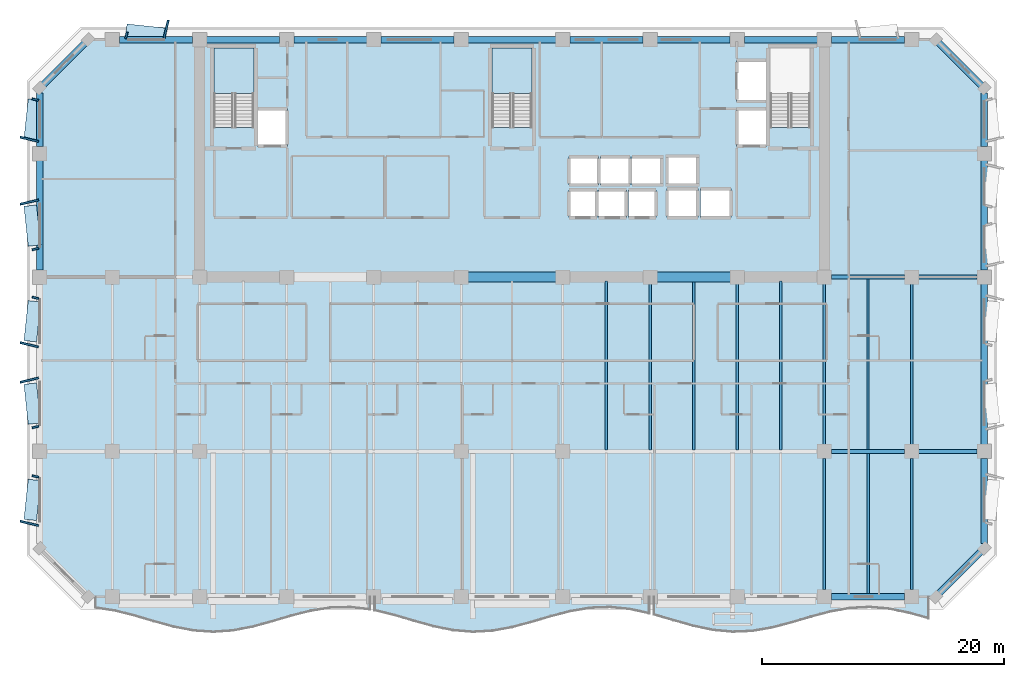
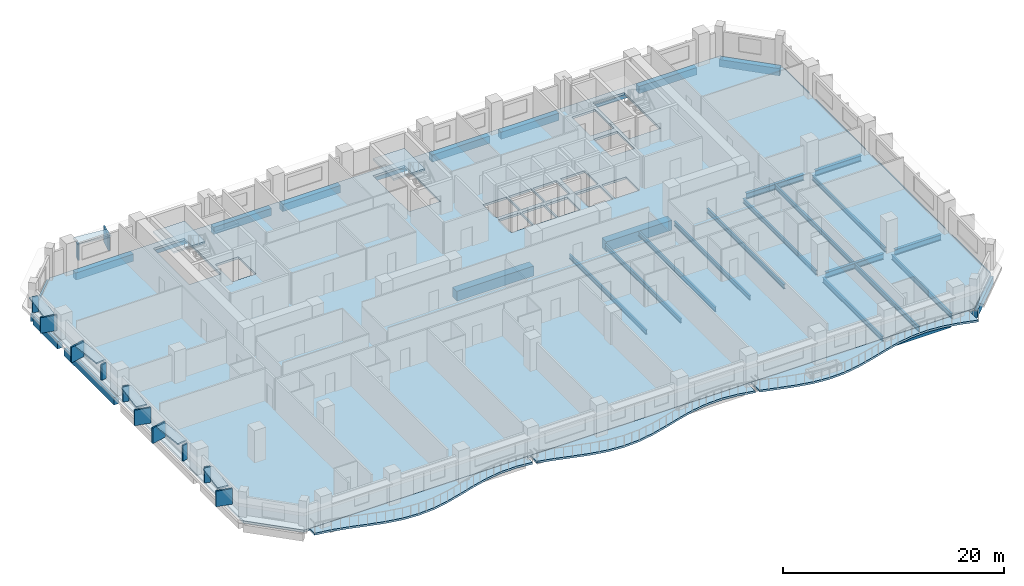
# One storey, part 2 of 15: 36 beams, 18 plates, 6 slabs, 2 elements without a shape of their own.
"""IFC4 building model written with IfcOpenShell, lengths in metres."""

from ifc_helpers import new_model, si_unit, direction, frame, origin, origin_2d, place, context, subcontext, project, spatial, polyline, rectangle, i_section, outline, extrude, material, layer, layer_set, material_profile, profile_set, type_object, element, aggregate, save


model = new_model("IFC4")

# Units and contexts
model_context = context("Model", 3, precision=1e-05, world=origin(), true_north=direction((0.0, 1.0)))
body_context = subcontext(model_context, "Body", "Model", "MODEL_VIEW")
ifc_project = project(units=[si_unit("LENGTHUNIT", "METRE"), si_unit("AREAUNIT", "SQUARE_METRE"), si_unit("VOLUMEUNIT", "CUBIC_METRE"), si_unit("PLANEANGLEUNIT", "RADIAN"), si_unit("MASSUNIT", "GRAM", prefix="KILO")], contexts=[model_context])

# Site, building, storey
site_placement = place(None, origin())
site = spatial("IfcSite", under=ifc_project, at=site_placement, CompositionType="ELEMENT")
building_placement = place(site_placement, origin())
building = spatial("IfcBuilding", under=site, at=building_placement, Name="Kaelvorn Grand Hotel", CompositionType="ELEMENT")
storey_placement = place(building_placement, frame((0.0, 0.0, 173.35009765625)))
storey = spatial("IfcBuildingStorey", under=building, at=storey_placement, Name="L42", CompositionType="ELEMENT", Elevation=173.35009765625)

# Beams
ifc_material_1 = material(Name="Steel S355", Category="steel")
ifc_material_profile_1 = material_profile(ifc_material_1, i_section(OverallWidth=0.300048828125, OverallDepth=0.64990234375, WebThickness=0.01611328125, FlangeThickness=0.031005859375, FilletRadius=0.027099609375, at=origin_2d()), Name="HEB 650")
ifc_profile_set_1 = profile_set([ifc_material_profile_1], Name="Steel S355")
beam_type_1 = type_object("IfcBeamType", Name="BM-G-HEB650-S355", PredefinedType="BEAM", material=ifc_profile_set_1)
beam_1_placement = place(storey_placement, frame((68.385009765625, 15.0, -0.565185546875), z_axis=(1.0, 0.0, 0.0), x_axis=(0.0, 1.0, 0.0)))
element("IfcBeam", 1, at=beam_1_placement, inside=storey, type_object=beam_type_1, Name="L42 Primary Spine Steel Girder G-15 06", PredefinedType="BEAM", context=body_context, shape_type="SweptSolid", body=[
    extrude(i_section(OverallWidth=0.300048828125, OverallDepth=0.64990234375, WebThickness=0.01611328125, FlangeThickness=0.031005859375, FilletRadius=0.027099609375, at=origin_2d()), origin(), (0.0, 0.0, 1.0), 6.030029296875),
])
beam_2_placement = place(storey_placement, frame((75.5849609375, 15.0, -0.565185546875), z_axis=(1.0, 0.0, 0.0), x_axis=(0.0, 1.0, 0.0)))
element("IfcBeam", 2, at=beam_2_placement, inside=storey, type_object=beam_type_1, Name="L42 Primary Spine Steel Girder G-15 07", PredefinedType="BEAM", context=body_context, shape_type="SweptSolid", body=[
    extrude(i_section(OverallWidth=0.300048828125, OverallDepth=0.64990234375, WebThickness=0.01611328125, FlangeThickness=0.031005859375, FilletRadius=0.027099609375, at=origin_2d()), origin(), (0.0, 0.0, 1.0), 4.830078125),
])
beam_3_placement = place(storey_placement, frame((68.385009765625, 29.39990234375, -0.565185546875), z_axis=(1.0, 0.0, 0.0), x_axis=(0.0, 1.0, 0.0)))
element("IfcBeam", 3, at=beam_3_placement, inside=storey, type_object=beam_type_1, Name="L42 East Core Wing Steel Girder G-29E 01", PredefinedType="BEAM", context=body_context, shape_type="SweptSolid", body=[
    extrude(i_section(OverallWidth=0.300048828125, OverallDepth=0.64990234375, WebThickness=0.01611328125, FlangeThickness=0.031005859375, FilletRadius=0.027099609375, at=origin_2d()), origin(), (0.0, 0.0, 1.0), 6.030029296875),
])
beam_4_placement = place(storey_placement, frame((75.5849609375, 29.39990234375, -0.565185546875), z_axis=(1.0, 0.0, 0.0), x_axis=(0.0, 1.0, 0.0)))
element("IfcBeam", 4, at=beam_4_placement, inside=storey, type_object=beam_type_1, Name="L42 East Core Wing Steel Girder G-29E 02", PredefinedType="BEAM", context=body_context, shape_type="SweptSolid", body=[
    extrude(i_section(OverallWidth=0.300048828125, OverallDepth=0.64990234375, WebThickness=0.01611328125, FlangeThickness=0.031005859375, FilletRadius=0.027099609375, at=origin_2d()), origin(), (0.0, 0.0, 1.0), 4.830078125),
])
ifc_material_profile_2 = material_profile(ifc_material_1, i_section(OverallWidth=0.199951171875, OverallDepth=0.5, WebThickness=0.01025390625, FlangeThickness=0.01611328125, FilletRadius=0.02099609375, at=origin_2d()), Name="IPE 500")
ifc_profile_set_2 = profile_set([ifc_material_profile_2], Name="Steel S355")
beam_type_2 = type_object("IfcBeamType", Name="BM-J-IPE500-S355", PredefinedType="JOIST", material=ifc_profile_set_2)
beam_5_placement = place(storey_placement, frame((49.800048828125, 15.135009765625, -0.489990234375), z_axis=(0.0, 1.0, 0.0), x_axis=(-1.0, 0.0, 0.0)))
element("IfcBeam", 5, at=beam_5_placement, inside=storey, type_object=beam_type_2, Name="L42 Composite Floor Joist JM-14", PredefinedType="JOIST", context=body_context, shape_type="SweptSolid", body=[
    extrude(i_section(OverallWidth=0.199951171875, OverallDepth=0.5, WebThickness=0.01025390625, FlangeThickness=0.01611328125, FilletRadius=0.02099609375, at=origin_2d()), origin(), (0.0, 0.0, 1.0), 13.925048828125),
])
beam_6_placement = place(storey_placement, frame((53.39990234375, 15.135009765625, -0.489990234375), z_axis=(0.0, 1.0, 0.0), x_axis=(-1.0, 0.0, 0.0)))
element("IfcBeam", 6, at=beam_6_placement, inside=storey, type_object=beam_type_2, Name="L42 Composite Floor Joist JM-15", PredefinedType="JOIST", context=body_context, shape_type="SweptSolid", body=[
    extrude(i_section(OverallWidth=0.199951171875, OverallDepth=0.5, WebThickness=0.01025390625, FlangeThickness=0.01611328125, FilletRadius=0.02099609375, at=origin_2d()), origin(), (0.0, 0.0, 1.0), 13.679931640625),
])
beam_7_placement = place(storey_placement, frame((57.0, 15.135009765625, -0.489990234375), z_axis=(0.0, 1.0, 0.0), x_axis=(-1.0, 0.0, 0.0)))
element("IfcBeam", 7, at=beam_7_placement, inside=storey, type_object=beam_type_2, Name="L42 Composite Floor Joist JM-16", PredefinedType="JOIST", context=body_context, shape_type="SweptSolid", body=[
    extrude(i_section(OverallWidth=0.199951171875, OverallDepth=0.5, WebThickness=0.01025390625, FlangeThickness=0.01611328125, FilletRadius=0.02099609375, at=origin_2d()), origin(), (0.0, 0.0, 1.0), 13.925048828125),
])
beam_8_placement = place(storey_placement, frame((60.60009765625, 15.135009765625, -0.489990234375), z_axis=(0.0, 1.0, 0.0), x_axis=(-1.0, 0.0, 0.0)))
element("IfcBeam", 8, at=beam_8_placement, inside=storey, type_object=beam_type_2, Name="L42 Composite Floor Joist JM-17", PredefinedType="JOIST", context=body_context, shape_type="SweptSolid", body=[
    extrude(i_section(OverallWidth=0.199951171875, OverallDepth=0.5, WebThickness=0.01025390625, FlangeThickness=0.01611328125, FilletRadius=0.02099609375, at=origin_2d()), origin(), (0.0, 0.0, 1.0), 13.679931640625),
])
beam_9_placement = place(storey_placement, frame((64.199951171875, 15.135009765625, -0.489990234375), z_axis=(0.0, 1.0, 0.0), x_axis=(-1.0, 0.0, 0.0)))
element("IfcBeam", 9, at=beam_9_placement, inside=storey, type_object=beam_type_2, Name="L42 Composite Floor Joist JM-18", PredefinedType="JOIST", context=body_context, shape_type="SweptSolid", body=[
    extrude(i_section(OverallWidth=0.199951171875, OverallDepth=0.5, WebThickness=0.01025390625, FlangeThickness=0.01611328125, FilletRadius=0.02099609375, at=origin_2d()), origin(), (0.0, 0.0, 1.0), 13.925048828125),
])
beam_10_placement = place(storey_placement, frame((67.800048828125, 15.5849609375, -0.489990234375), z_axis=(0.0, 1.0, 0.0), x_axis=(-1.0, 0.0, 0.0)))
element("IfcBeam", 10, at=beam_10_placement, inside=storey, type_object=beam_type_2, Name="L42 Composite Floor Joist JM-19", PredefinedType="JOIST", context=body_context, shape_type="SweptSolid", body=[
    extrude(i_section(OverallWidth=0.199951171875, OverallDepth=0.5, WebThickness=0.01025390625, FlangeThickness=0.01611328125, FilletRadius=0.02099609375, at=origin_2d()), origin(), (0.0, 0.0, 1.0), 13.22998046875),
])
beam_11_placement = place(storey_placement, frame((71.39990234375, 15.135009765625, -0.489990234375), z_axis=(0.0, 1.0, 0.0), x_axis=(-1.0, 0.0, 0.0)))
element("IfcBeam", 11, at=beam_11_placement, inside=storey, type_object=beam_type_2, Name="L42 Composite Floor Joist JM-20", PredefinedType="JOIST", context=body_context, shape_type="SweptSolid", body=[
    extrude(i_section(OverallWidth=0.199951171875, OverallDepth=0.5, WebThickness=0.01025390625, FlangeThickness=0.01611328125, FilletRadius=0.02099609375, at=origin_2d()), origin(), (0.0, 0.0, 1.0), 14.1298828125),
])
beam_12_placement = place(storey_placement, frame((75.0, 15.5849609375, -0.489990234375), z_axis=(0.0, 1.0, 0.0), x_axis=(-1.0, 0.0, 0.0)))
element("IfcBeam", 12, at=beam_12_placement, inside=storey, type_object=beam_type_2, Name="L42 Composite Floor Joist JM-21", PredefinedType="JOIST", context=body_context, shape_type="SweptSolid", body=[
    extrude(i_section(OverallWidth=0.199951171875, OverallDepth=0.5, WebThickness=0.01025390625, FlangeThickness=0.01611328125, FilletRadius=0.02099609375, at=origin_2d()), origin(), (0.0, 0.0, 1.0), 13.22998046875),
])
ifc_material_profile_3 = material_profile(ifc_material_1, i_section(OverallWidth=0.2099609375, OverallDepth=0.550048828125, WebThickness=0.010986328125, FlangeThickness=0.01708984375, FilletRadius=0.02392578125, at=origin_2d()), Name="IPE 550")
ifc_profile_set_3 = profile_set([ifc_material_profile_3], Name="Steel S355")
beam_type_3 = type_object("IfcBeamType", Name="BM-J-IPE550-S355", PredefinedType="JOIST", material=ifc_profile_set_3)
beam_13_placement = place(storey_placement, frame((67.800048828125, 3.5849609375, -0.51513671875), z_axis=(0.0, 1.0, 0.0), x_axis=(-1.0, 0.0, 0.0)))
element("IfcBeam", 13, at=beam_13_placement, inside=storey, type_object=beam_type_3, Name="L42 Composite Floor Joist JS-19", PredefinedType="JOIST", context=body_context, shape_type="SweptSolid", body=[
    extrude(i_section(OverallWidth=0.2099609375, OverallDepth=0.550048828125, WebThickness=0.010986328125, FlangeThickness=0.01708984375, FilletRadius=0.02392578125, at=origin_2d()), origin(), (0.0, 0.0, 1.0), 10.830078125),
])
beam_14_placement = place(storey_placement, frame((71.39990234375, 3.260009765625, -0.51513671875), z_axis=(0.0, 1.0, 0.0), x_axis=(-1.0, 0.0, 0.0)))
element("IfcBeam", 14, at=beam_14_placement, inside=storey, type_object=beam_type_3, Name="L42 Composite Floor Joist JS-20", PredefinedType="JOIST", context=body_context, shape_type="SweptSolid", body=[
    extrude(i_section(OverallWidth=0.2099609375, OverallDepth=0.550048828125, WebThickness=0.010986328125, FlangeThickness=0.01708984375, FilletRadius=0.02392578125, at=origin_2d()), origin(), (0.0, 0.0, 1.0), 11.60498046875),
])
beam_15_placement = place(storey_placement, frame((75.0, 3.5849609375, -0.51513671875), z_axis=(0.0, 1.0, 0.0), x_axis=(-1.0, 0.0, 0.0)))
element("IfcBeam", 15, at=beam_15_placement, inside=storey, type_object=beam_type_3, Name="L42 Composite Floor Joist JS-21", PredefinedType="JOIST", context=body_context, shape_type="SweptSolid", body=[
    extrude(i_section(OverallWidth=0.2099609375, OverallDepth=0.550048828125, WebThickness=0.010986328125, FlangeThickness=0.01708984375, FilletRadius=0.02392578125, at=origin_2d()), origin(), (0.0, 0.0, 1.0), 10.830078125),
])
ifc_material_2 = material(Name="Concrete C60/75", Category="concrete")
ifc_material_profile_4 = material_profile(ifc_material_2, rectangle(XDim=0.800048828125, YDim=1.10009765625, at=origin_2d()), Name="RC LINTEL 800x1100")
ifc_profile_set_4 = profile_set([ifc_material_profile_4], Name="Concrete C60/75")
beam_type_4 = type_object("IfcBeamType", Name="BM-LIN-800x1100-C60", PredefinedType="LINTEL", material=ifc_profile_set_4)
beam_16_placement = place(storey_placement, frame((37.97998046875, 29.39990234375, -0.7900390625), z_axis=(1.0, 0.0, 0.0), x_axis=(0.0, 1.0, 0.0)))
element("IfcBeam", 16, at=beam_16_placement, inside=storey, type_object=beam_type_4, Name="L42 Rear-Core Coupling Lintel Beam CB1-02", PredefinedType="LINTEL", context=body_context, shape_type="SweptSolid", body=[
    extrude(rectangle(XDim=0.800048828125, YDim=1.10009765625, at=origin_2d()), origin(), (0.0, 0.0, 1.0), 8.0400390625),
])
beam_17_placement = place(storey_placement, frame((53.580078125, 29.39990234375, -0.7900390625), z_axis=(1.0, 0.0, 0.0), x_axis=(0.0, 1.0, 0.0)))
element("IfcBeam", 17, at=beam_17_placement, inside=storey, type_object=beam_type_4, Name="L42 Rear-Core Coupling Lintel Beam CB1-03", PredefinedType="LINTEL", context=body_context, shape_type="SweptSolid", body=[
    extrude(rectangle(XDim=0.800048828125, YDim=1.10009765625, at=origin_2d()), origin(), (0.0, 0.0, 1.0), 6.83984375),
])
ifc_material_3 = material(Name="Concrete C50/60", Category="concrete")
ifc_material_profile_5 = material_profile(ifc_material_3, rectangle(XDim=0.550048828125, YDim=0.800048828125, at=origin_2d()), Name="RC SPANDREL 550x800")
ifc_profile_set_5 = profile_set([ifc_material_profile_5], Name="Concrete C50/60")
beam_type_5 = type_object("IfcBeamType", Name="BM-SP-550x800-C50", PredefinedType="SPANDREL", material=ifc_profile_set_5)
for number, where, z_axis, x_axis, name in (
    (18, (68.385009765625, 3.0, -0.64013671875), (1.0, 0.0, 0.0), (0.0, 1.0, 0.0), "L42 South Perimeter Spandrel 10"),
    (19, (9.5849609375, 49.0, -0.64013671875), (1.0, 0.0, 0.0), (0.0, 1.0, 0.0), "L42 North Perimeter Spandrel 02"),
    (20, (16.784912109375, 49.0, -0.64013671875), (1.0, 0.0, 0.0), (0.0, 1.0, 0.0), "L42 North Perimeter Spandrel 03"),
):
    element("IfcBeam", number, at=place(storey_placement, frame(where, z_axis=z_axis, x_axis=x_axis)), inside=storey, type_object=beam_type_5, Name=name, PredefinedType="SPANDREL", context=body_context, shape_type="SweptSolid", body=[
        extrude(rectangle(XDim=0.550048828125, YDim=0.800048828125, at=origin_2d()), origin(), (0.0, 0.0, 1.0), 6.030029296875),
    ])
beam_18_placement = place(storey_placement, frame((23.985107421875, 49.0, -0.64013671875), z_axis=(1.0, 0.0, 0.0), x_axis=(0.0, 1.0, 0.0)))
element("IfcBeam", 21, at=beam_18_placement, inside=storey, type_object=beam_type_5, Name="L42 North Perimeter Spandrel 04", PredefinedType="SPANDREL", context=body_context, shape_type="SweptSolid", body=[
    extrude(rectangle(XDim=0.550048828125, YDim=0.800048828125, at=origin_2d()), origin(), (0.0, 0.0, 1.0), 6.02978515625),
])
beam_19_placement = place(storey_placement, frame((31.18505859375, 49.0, -0.64013671875), z_axis=(1.0, 0.0, 0.0), x_axis=(0.0, 1.0, 0.0)))
element("IfcBeam", 22, at=beam_19_placement, inside=storey, type_object=beam_type_5, Name="L42 North Perimeter Spandrel 05", PredefinedType="SPANDREL", context=body_context, shape_type="SweptSolid", body=[
    extrude(rectangle(XDim=0.550048828125, YDim=0.800048828125, at=origin_2d()), origin(), (0.0, 0.0, 1.0), 6.030029296875),
])
beam_20_placement = place(storey_placement, frame((38.385009765625, 49.0, -0.64013671875), z_axis=(1.0, 0.0, 0.0), x_axis=(0.0, 1.0, 0.0)))
element("IfcBeam", 23, at=beam_20_placement, inside=storey, type_object=beam_type_5, Name="L42 North Perimeter Spandrel 06", PredefinedType="SPANDREL", context=body_context, shape_type="SweptSolid", body=[
    extrude(rectangle(XDim=0.550048828125, YDim=0.800048828125, at=origin_2d()), origin(), (0.0, 0.0, 1.0), 7.22998046875),
])
beam_21_placement = place(storey_placement, frame((46.784912109375, 49.0, -0.64013671875), z_axis=(1.0, 0.0, 0.0), x_axis=(0.0, 1.0, 0.0)))
element("IfcBeam", 24, at=beam_21_placement, inside=storey, type_object=beam_type_5, Name="L42 North Perimeter Spandrel 07", PredefinedType="SPANDREL", context=body_context, shape_type="SweptSolid", body=[
    extrude(rectangle(XDim=0.550048828125, YDim=0.800048828125, at=origin_2d()), origin(), (0.0, 0.0, 1.0), 6.030029296875),
])
beam_22_placement = place(storey_placement, frame((53.985107421875, 49.0, -0.64013671875), z_axis=(1.0, 0.0, 0.0), x_axis=(0.0, 1.0, 0.0)))
element("IfcBeam", 25, at=beam_22_placement, inside=storey, type_object=beam_type_5, Name="L42 North Perimeter Spandrel 08", PredefinedType="SPANDREL", context=body_context, shape_type="SweptSolid", body=[
    extrude(rectangle(XDim=0.550048828125, YDim=0.800048828125, at=origin_2d()), origin(), (0.0, 0.0, 1.0), 6.02978515625),
])
for number, where, z_axis, x_axis, name in (
    (26, (61.18505859375, 49.0, -0.64013671875), (1.0, 0.0, 0.0), (0.0, 1.0, 0.0), "L42 North Perimeter Spandrel 09"),
    (27, (68.385009765625, 49.0, -0.64013671875), (1.0, 0.0, 0.0), (0.0, 1.0, 0.0), "L42 North Perimeter Spandrel 10"),
):
    element("IfcBeam", number, at=place(storey_placement, frame(where, z_axis=z_axis, x_axis=x_axis)), inside=storey, type_object=beam_type_5, Name=name, PredefinedType="SPANDREL", context=body_context, shape_type="SweptSolid", body=[
        extrude(rectangle(XDim=0.550048828125, YDim=0.800048828125, at=origin_2d()), origin(), (0.0, 0.0, 1.0), 6.030029296875),
    ])
beam_23_placement = place(storey_placement, frame((3.0, 29.985107421875, -0.64013671875), z_axis=(0.0, 1.0, 0.0), x_axis=(-1.0, 0.0, 0.0)))
element("IfcBeam", 28, at=beam_23_placement, inside=storey, type_object=beam_type_5, Name="L42 West Perimeter Spandrel 03", PredefinedType="SPANDREL", context=body_context, shape_type="SweptSolid", body=[
    extrude(rectangle(XDim=0.550048828125, YDim=0.800048828125, at=origin_2d()), origin(), (0.0, 0.0, 1.0), 9.02978515625),
])
beam_24_placement = place(storey_placement, frame((3.0, 40.18505859375, -0.64013671875), z_axis=(0.0, 1.0, 0.0), x_axis=(-1.0, 0.0, 0.0)))
element("IfcBeam", 29, at=beam_24_placement, inside=storey, type_object=beam_type_5, Name="L42 West Perimeter Spandrel 04", PredefinedType="SPANDREL", context=body_context, shape_type="SweptSolid", body=[
    extrude(rectangle(XDim=0.550048828125, YDim=0.800048828125, at=origin_2d()), origin(), (0.0, 0.0, 1.0), 4.409912109375),
])
beam_25_placement = place(storey_placement, frame((81.0, 7.405029296875, -0.64013671875), z_axis=(0.0, 1.0, 0.0), x_axis=(-1.0, 0.0, 0.0)))
element("IfcBeam", 30, at=beam_25_placement, inside=storey, type_object=beam_type_5, Name="L42 East Perimeter Spandrel 01", PredefinedType="SPANDREL", context=body_context, shape_type="SweptSolid", body=[
    extrude(rectangle(XDim=0.550048828125, YDim=0.800048828125, at=origin_2d()), origin(), (0.0, 0.0, 1.0), 7.010009765625),
])
beam_26_placement = place(storey_placement, frame((81.0, 15.5849609375, -0.64013671875), z_axis=(0.0, 1.0, 0.0), x_axis=(-1.0, 0.0, 0.0)))
element("IfcBeam", 31, at=beam_26_placement, inside=storey, type_object=beam_type_5, Name="L42 East Perimeter Spandrel 02", PredefinedType="SPANDREL", context=body_context, shape_type="SweptSolid", body=[
    extrude(rectangle(XDim=0.550048828125, YDim=0.800048828125, at=origin_2d()), origin(), (0.0, 0.0, 1.0), 13.22998046875),
])
beam_27_placement = place(storey_placement, frame((81.0, 29.985107421875, -0.64013671875), z_axis=(0.0, 1.0, 0.0), x_axis=(-1.0, 0.0, 0.0)))
element("IfcBeam", 32, at=beam_27_placement, inside=storey, type_object=beam_type_5, Name="L42 East Perimeter Spandrel 03", PredefinedType="SPANDREL", context=body_context, shape_type="SweptSolid", body=[
    extrude(rectangle(XDim=0.550048828125, YDim=0.800048828125, at=origin_2d()), origin(), (0.0, 0.0, 1.0), 9.02978515625),
])
beam_28_placement = place(storey_placement, frame((81.0, 40.18505859375, -0.64013671875), z_axis=(0.0, 1.0, 0.0), x_axis=(-1.0, 0.0, 0.0)))
element("IfcBeam", 33, at=beam_28_placement, inside=storey, type_object=beam_type_5, Name="L42 East Perimeter Spandrel 04", PredefinedType="SPANDREL", context=body_context, shape_type="SweptSolid", body=[
    extrude(rectangle(XDim=0.550048828125, YDim=0.800048828125, at=origin_2d()), origin(), (0.0, 0.0, 1.0), 4.409912109375),
])
for number, where, z_axis, x_axis, name in (
    (34, (77.0, 3.0, -0.64013671875), (0.707106781187, 0.707106781187, 0.0), (-0.707106781187, 0.707106781187, 0.0), "L42 Chamfer Spandrel Beam 1"),
    (35, (81.0, 45.0, -0.64013671875), (-0.707106781187, 0.707106781187, 0.0), (-0.707106781187, -0.707106781187, 0.0), "L42 Chamfer Spandrel Beam 2"),
    (36, (7.0, 49.0, -0.64013671875), (-0.707106781187, -0.707106781187, 0.0), (0.707106781187, -0.707106781187, 0.0), "L42 Chamfer Spandrel Beam 3"),
):
    element("IfcBeam", number, at=place(storey_placement, frame(where, z_axis=z_axis, x_axis=x_axis)), inside=storey, type_object=beam_type_5, Name=name, PredefinedType="SPANDREL", context=body_context, shape_type="SweptSolid", body=[
        extrude(rectangle(XDim=0.550048828125, YDim=0.800048828125, at=origin_2d()), origin(), (0.0, 0.0, 1.0), 5.65673828125),
    ])

# Plates
ifc_material_4 = material(Name="Precast concrete C45/55", Category="concrete")
ifc_layer_1 = layer(ifc_material_4, 0.159912109375)
ifc_layer_set_1 = layer_set([ifc_layer_1], Name="Precast concrete C45/55")
plate_type_1 = type_object("IfcPlateType", Name="PL-FRAME-DEEP-1550", PredefinedType="USERDEFINED", material=ifc_layer_set_1)
for number, where, z_axis, x_axis, name in (
    (37, (2.14501953125, 9.06005859375, 0.81494140625), (0.0, 0.0, 1.0), (0.233445363856, 0.972369920398, 0.0), "L42 Tilted Precast Window Frame Fin L-W01"),
    (38, (2.14501953125, 20.889892578125, 0.81494140625), (0.0, 0.0, 1.0), (-0.233445363856, 0.972369920398, 0.0), "L42 Tilted Precast Window Frame Fin R-W02"),
    (39, (2.14501953125, 23.81005859375, 0.81494140625), (0.0, 0.0, 1.0), (0.233445363856, 0.972369920398, 0.0), "L42 Tilted Precast Window Frame Fin L-W03"),
    (40, (2.14501953125, 35.590087890625, 0.81494140625), (0.0, 0.0, 1.0), (-0.233445363856, 0.972369920398, 0.0), "L42 Tilted Precast Window Frame Fin R-W04"),
    (41, (2.14501953125, 40.77490234375, 0.73974609375), (0.0, 0.0, 1.0), (0.233445363856, 0.972369920398, 0.0), "L42 Tilted Precast Window Frame Fin L-W05"),
    (42, (13.43994140625, 49.85498046875, 0.73974609375), (0.0, 0.0, 1.0), (0.972369920398, -0.233445363856, 0.0), "L42 Tilted Precast Window Frame Fin R-N01"),
):
    element("IfcPlate", number, at=place(storey_placement, frame(where, z_axis=z_axis, x_axis=x_axis)), inside=storey, type_object=plate_type_1, Name=name, ObjectType="FLANGE_PLATE", PredefinedType="USERDEFINED", context=body_context, shape_type="SweptSolid", body=[
        extrude(rectangle(XDim=0.159912109375, YDim=1.550048828125, at=origin_2d()), origin(), (0.0, 0.0, 1.0), 1.719970703125),
    ])
ifc_layer_2 = layer(ifc_material_4, 0.159912109375)
ifc_layer_set_2 = layer_set([ifc_layer_2], Name="Precast concrete C45/55")
plate_type_2 = type_object("IfcPlateType", Name="PL-FRAME-HEAD-1050", PredefinedType="USERDEFINED", material=ifc_layer_set_2)
for number, where, z_axis, x_axis, name in (
    (43, (2.39501953125, 11.0, 2.5), (0.0, 0.0, 1.0), (0.105830199459, 0.994384215926, 0.0), "L42 Precast Window Frame Head Hood H-W01"),
    (44, (2.39501953125, 18.949951171875, 2.5), (0.0, 0.0, 1.0), (-0.105830199459, 0.994384215926, 0.0), "L42 Precast Window Frame Head Hood H-W02"),
    (45, (2.39501953125, 25.75, 2.5), (0.0, 0.0, 1.0), (0.105830199459, 0.994384215926, 0.0), "L42 Precast Window Frame Head Hood H-W03"),
    (46, (2.39501953125, 33.64990234375, 2.5), (0.0, 0.0, 1.0), (-0.105830199459, 0.994384215926, 0.0), "L42 Precast Window Frame Head Hood H-W04"),
    (47, (2.39501953125, 42.4150390625, 2.35009765625), (0.0, 0.0, 1.0), (0.105830199459, 0.994384215926, 0.0), "L42 Precast Window Frame Head Hood H-W05"),
    (48, (11.800048828125, 49.60498046875, 2.35009765625), (0.0, 0.0, 1.0), (0.994384215926, -0.105830199459, 0.0), "L42 Precast Window Frame Head Hood H-N01"),
):
    element("IfcPlate", number, at=place(storey_placement, frame(where, z_axis=z_axis, x_axis=x_axis)), inside=storey, type_object=plate_type_2, Name=name, ObjectType="FLANGE_PLATE", PredefinedType="USERDEFINED", context=body_context, shape_type="SweptSolid", body=[
        extrude(rectangle(XDim=3.320068359375, YDim=1.050048828125, at=origin_2d()), origin(), (0.0, 0.0, 1.0), 0.159912109375),
    ])
ifc_layer_3 = layer(ifc_material_4, 0.159912109375)
ifc_layer_set_3 = layer_set([ifc_layer_3], Name="Precast concrete C45/55")
plate_type_3 = type_object("IfcPlateType", Name="PL-FRAME-SHAL-550", PredefinedType="USERDEFINED", material=ifc_layer_set_3)
for number, where, z_axis, x_axis, name in (
    (49, (2.64501953125, 12.93994140625, 0.81494140625), (0.0, 0.0, 1.0), (0.233445363856, 0.972369920398, 0.0), "L42 Tilted Precast Window Frame Fin R-W01"),
    (50, (2.64501953125, 17.010009765625, 0.81494140625), (0.0, 0.0, 1.0), (-0.233445363856, 0.972369920398, 0.0), "L42 Tilted Precast Window Frame Fin L-W02"),
    (51, (2.64501953125, 27.68994140625, 0.81494140625), (0.0, 0.0, 1.0), (0.233445363856, 0.972369920398, 0.0), "L42 Tilted Precast Window Frame Fin R-W03"),
    (52, (2.64501953125, 31.7099609375, 0.81494140625), (0.0, 0.0, 1.0), (-0.233445363856, 0.972369920398, 0.0), "L42 Tilted Precast Window Frame Fin L-W04"),
    (53, (2.64501953125, 44.054931640625, 0.73974609375), (0.0, 0.0, 1.0), (0.233445363856, 0.972369920398, 0.0), "L42 Tilted Precast Window Frame Fin R-W05"),
    (54, (10.159912109375, 49.35498046875, 0.73974609375), (0.0, 0.0, 1.0), (0.972369920398, -0.233445363856, 0.0), "L42 Tilted Precast Window Frame Fin L-N01"),
):
    element("IfcPlate", number, at=place(storey_placement, frame(where, z_axis=z_axis, x_axis=x_axis)), inside=storey, type_object=plate_type_3, Name=name, ObjectType="FLANGE_PLATE", PredefinedType="USERDEFINED", context=body_context, shape_type="SweptSolid", body=[
        extrude(rectangle(XDim=0.159912109375, YDim=0.550048828125, at=origin_2d()), origin(), (0.0, 0.0, 1.0), 1.719970703125),
    ])

# Slabs
ifc_material_5 = material(Name="Concrete C40/50", Category="concrete")
ifc_layer_4 = layer(ifc_material_5, 0.219970703125)
ifc_layer_set_4 = layer_set([ifc_layer_4], Name="Concrete C40/50")
slab_type_1 = type_object("IfcSlabType", Name="SLB-BALC-220-C40", PredefinedType="FLOOR", material=ifc_layer_set_4)
slab_1_placement = place(storey_placement, frame((0.0, 0.0, -0.22021484375)))
element("IfcSlab", 55, at=slab_1_placement, inside=storey, type_object=slab_type_1, Name="L42 Scalloped Wave Balcony Slab 1", PredefinedType="FLOOR", context=body_context, shape_type="SweptSolid", body=[
    extrude(outline(polyline([(7.60009765625, 2.099853515625), (9.218994140625, 1.85009765625), (10.838134765625, 1.4423828125), (12.45703125, 0.965576171875), (14.076171875, 0.5234375), (15.6953125, 0.21240234375), (17.314208984375, 0.10009765625), (18.933349609375, 0.2109375), (20.552490234375, 0.520751953125), (22.17138671875, 0.962158203125), (23.79052734375, 1.43896484375), (25.409423828125, 1.84765625), (27.028564453125, 2.098876953125), (28.647705078125, 2.137939453125), (30.2666015625, 1.95654296875), (30.2666015625, 3.0), (7.60009765625, 3.0), (7.60009765625, 2.099853515625)])), origin(), (0.0, 0.0, 1.0), 0.22021484375),
])
slab_2_placement = place(storey_placement, frame((0.0, 0.0, -0.22021484375)))
element("IfcSlab", 56, at=slab_2_placement, inside=storey, type_object=slab_type_1, Name="L42 Scalloped Wave Balcony Slab 2", PredefinedType="FLOOR", context=body_context, shape_type="SweptSolid", body=[
    extrude(outline(polyline([(30.666748046875, 1.88134765625), (32.28564453125, 1.485107421875), (33.90478515625, 1.010498046875), (35.52392578125, 0.560791015625), (37.142822265625, 0.23388671875), (38.761962890625, 0.10107421875), (40.380859375, 0.191162109375), (42.0, 0.484619140625), (43.619140625, 0.91748046875), (45.238037109375, 1.3955078125), (46.857177734375, 1.814697265625), (48.47607421875, 2.083740234375), (50.09521484375, 2.143798828125), (51.71435546875, 1.982421875), (53.333251953125, 1.634033203125), (53.333251953125, 3.0), (30.666748046875, 3.0), (30.666748046875, 1.88134765625)])), origin(), (0.0, 0.0, 1.0), 0.22021484375),
])
slab_3_placement = place(storey_placement, frame((0.0, 0.0, -0.22021484375)))
element("IfcSlab", 57, at=slab_3_placement, inside=storey, type_object=slab_type_1, Name="L42 Scalloped Wave Balcony Slab 3", PredefinedType="FLOOR", context=body_context, shape_type="SweptSolid", body=[
    extrude(outline(polyline([(53.7333984375, 1.52734375), (55.352294921875, 1.0556640625), (56.971435546875, 0.599365234375), (58.590576171875, 0.25732421875), (60.20947265625, 0.104248046875), (61.82861328125, 0.17333984375), (63.447509765625, 0.44970703125), (65.066650390625, 0.873291015625), (66.685791015625, 1.351318359375), (68.3046875, 1.7802734375), (69.923828125, 2.066650390625), (71.54296875, 2.14794921875), (73.161865234375, 2.00634765625), (74.781005859375, 1.673095703125), (76.39990234375, 1.22021484375), (76.39990234375, 3.0), (53.7333984375, 3.0), (53.7333984375, 1.52734375)])), origin(), (0.0, 0.0, 1.0), 0.22021484375),
])
ifc_layer_5 = layer(ifc_material_5, 0.239990234375)
ifc_layer_set_5 = layer_set([ifc_layer_5], Name="Concrete C40/50")
slab_type_2 = type_object("IfcSlabType", Name="SLB-FLR-240-C40", PredefinedType="FLOOR", material=ifc_layer_set_5)
slab_4_placement = place(storey_placement, frame((0.0, 0.0, -0.239990234375)))
element("IfcSlab", 58, at=slab_4_placement, inside=storey, type_object=slab_type_2, Name="L42 Indoor Suspended Floor Slab", PredefinedType="FLOOR", context=body_context, shape_type="SweptSolid", body=[
    extrude(outline(polyline([(7.0, 3.0), (77.0, 3.0), (81.0, 7.0), (81.0, 45.0), (77.0, 49.0), (7.0, 49.0), (3.0, 45.0), (3.0, 7.0), (7.0, 3.0)]), holes=[polyline([(17.39990234375, 41.760009765625), (17.39990234375, 48.300048828125), (20.679931640625, 48.300048828125), (20.679931640625, 41.760009765625), (17.39990234375, 41.760009765625)]), polyline([(40.360107421875, 41.760009765625), (40.360107421875, 48.300048828125), (43.639892578125, 48.300048828125), (43.639892578125, 41.760009765625), (40.360107421875, 41.760009765625)]), polyline([(63.320068359375, 41.760009765625), (63.320068359375, 48.300048828125), (66.60009765625, 48.300048828125), (66.60009765625, 41.760009765625), (63.320068359375, 41.760009765625)]), polyline([(46.699951171875, 34.300048828125), (46.699951171875, 36.60009765625), (49.0, 36.60009765625), (49.0, 34.300048828125), (46.699951171875, 34.300048828125)]), polyline([(49.14990234375, 34.300048828125), (49.14990234375, 36.60009765625), (51.449951171875, 36.60009765625), (51.449951171875, 34.300048828125), (49.14990234375, 34.300048828125)]), polyline([(51.60009765625, 34.300048828125), (51.60009765625, 36.60009765625), (53.89990234375, 36.60009765625), (53.89990234375, 34.300048828125), (51.60009765625, 34.300048828125)]), polyline([(46.699951171875, 37.0), (46.699951171875, 39.35009765625), (49.14990234375, 39.35009765625), (49.14990234375, 37.0), (46.699951171875, 37.0)]), polyline([(49.300048828125, 37.0), (49.300048828125, 39.35009765625), (51.75, 39.35009765625), (51.75, 37.0), (49.300048828125, 37.0)]), polyline([(51.89990234375, 37.0), (51.89990234375, 39.35009765625), (54.35009765625, 39.35009765625), (54.35009765625, 37.0), (51.89990234375, 37.0)]), polyline([(54.800048828125, 34.300048828125), (54.800048828125, 36.699951171875), (57.35009765625, 36.699951171875), (57.35009765625, 34.300048828125), (54.800048828125, 34.300048828125)]), polyline([(57.550048828125, 34.300048828125), (57.550048828125, 36.699951171875), (60.10009765625, 36.699951171875), (60.10009765625, 34.300048828125), (57.550048828125, 34.300048828125)]), polyline([(54.800048828125, 37.0), (54.800048828125, 39.39990234375), (57.35009765625, 39.39990234375), (57.35009765625, 37.0), (54.800048828125, 37.0)]), polyline([(21.0, 40.199951171875), (21.0, 43.300048828125), (23.449951171875, 43.300048828125), (23.449951171875, 40.199951171875), (21.0, 40.199951171875)]), polyline([(60.550048828125, 40.199951171875), (60.550048828125, 43.300048828125), (63.0, 43.300048828125), (63.0, 40.199951171875), (60.550048828125, 40.199951171875)]), polyline([(60.550048828125, 43.89990234375), (60.550048828125, 47.300048828125), (63.0, 47.300048828125), (63.0, 43.89990234375), (60.550048828125, 43.89990234375)])]), origin(), (0.0, 0.0, 1.0), 0.239990234375),
])

# Stair, slab
stair_type = type_object("IfcStairType", Name="STR-DOG-1560-R08", PredefinedType="HALF_TURN_STAIR", material=ifc_material_5)
stair_1_placement = place(storey_placement, origin())
stair_1 = element("IfcStair", 59, at=stair_1_placement, inside=storey, type_object=stair_type, Name="L42 West Core Exit Stair ST1", PredefinedType="HALF_TURN_STAIR")
ifc_layer_6 = layer(ifc_material_5, 0.199951171875)
ifc_layer_set_6 = layer_set([ifc_layer_6], Name="Concrete C40/50")
slab_type_3 = type_object("IfcSlabType", Name="SLB-LAND-200-C40", PredefinedType="LANDING", material=ifc_layer_set_6)
slab_5_placement = place(storey_placement, frame((0.0, 0.0, 1.699951171875)))
slab_5 = element("IfcSlab", 60, at=slab_5_placement, type_object=slab_type_3, Name="ST1 landing 1", PredefinedType="LANDING", context=body_context, shape_type="SweptSolid", body=[
    extrude(outline(polyline([(20.679931640625, 44.56005859375), (20.679931640625, 48.300048828125), (17.39990234375, 48.300048828125), (17.39990234375, 44.56005859375), (20.679931640625, 44.56005859375)])), origin(), (0.0, 0.0, 1.0), 0.199951171875),
])
aggregate(stair_1, [slab_5])

stair_2_placement = place(storey_placement, origin())
stair_2 = element("IfcStair", 61, at=stair_2_placement, inside=storey, type_object=stair_type, Name="L42 Central Core Exit Stair ST2", PredefinedType="HALF_TURN_STAIR")
slab_6_placement = place(storey_placement, frame((0.0, 0.0, 1.699951171875)))
slab_6 = element("IfcSlab", 62, at=slab_6_placement, type_object=slab_type_3, Name="ST2 landing 1", PredefinedType="LANDING", context=body_context, shape_type="SweptSolid", body=[
    extrude(outline(polyline([(43.639892578125, 44.56005859375), (43.639892578125, 48.300048828125), (40.360107421875, 48.300048828125), (40.360107421875, 44.56005859375), (43.639892578125, 44.56005859375)])), origin(), (0.0, 0.0, 1.0), 0.199951171875),
])
aggregate(stair_2, [slab_6])

save(model, "model.ifc")
